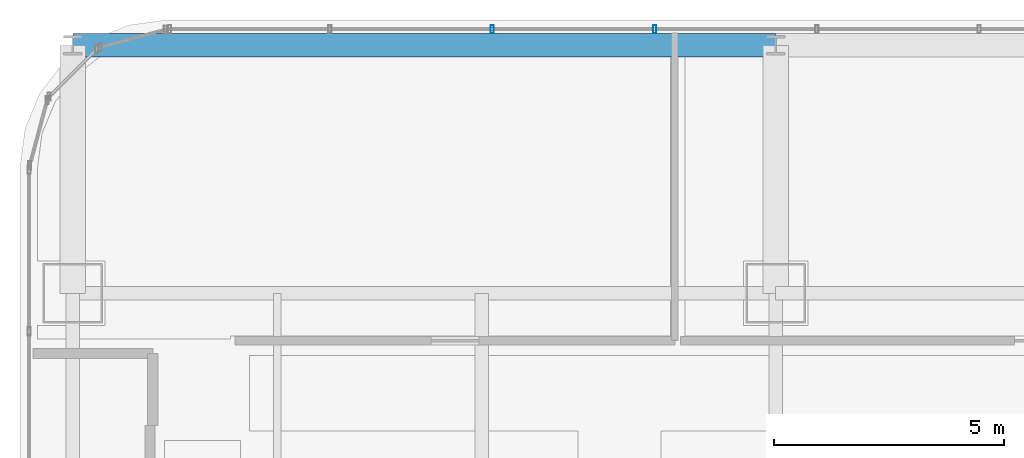
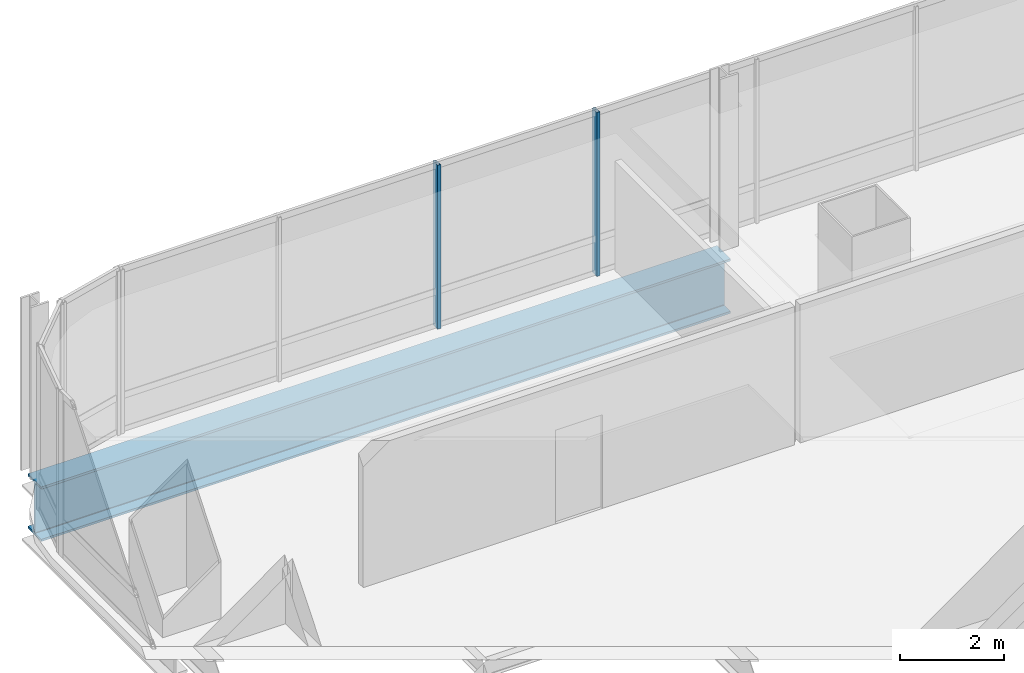
# One storey, part 25 of 42: 2 members, 1 beam, 1 element without a shape of its own.
"""IFC4 building model written with IfcOpenShell, lengths in metres."""

import ifcopenshell
import ifcopenshell.guid

model = None  # the IFC model being written
_history = None  # IfcOwnerHistory: only IFC2X3 demands one
_inside = {}  # id of a spatial element -> (the spatial element, [elements in it])
_under = {}  # id of a project, library or spatial element -> (it, [spatial elements below it])
_declared = {}  # id of a project -> (the project, [libraries it declares])
_typed = {}  # id of a type object -> (the type object, [elements of that type])
_made_of = {}  # id of a material, layer set ... -> (it, [elements and type objects made of it])


def new_model(schema):
    """Start an empty IFC model of exactly this schema.

    Asked for "IFC4X3", IfcOpenShell would pick the latest addendum, in which some entities
    have other attributes; the version numbers below select the first issue.
    IFC2X3 requires an IfcOwnerHistory on every rooted entity: one is made here for all.
    """
    global model, _history
    if schema == "IFC4X3":
        model = ifcopenshell.file(schema_version=(4, 3, 0, 0))
    else:
        model = ifcopenshell.file(schema=schema)
    _inside.clear()
    _under.clear()
    _declared.clear()
    _typed.clear()
    _made_of.clear()
    _history = None
    if model.schema == "IFC2X3":
        org = make("IfcOrganization", Name="unknown")
        user = make(
            "IfcPersonAndOrganization",
            ThePerson=make("IfcPerson", FamilyName="unknown"),
            TheOrganization=org,
        )
        app = make(
            "IfcApplication",
            ApplicationDeveloper=org,
            Version="unknown",
            ApplicationFullName="unknown",
            ApplicationIdentifier="unknown",
        )
        _history = make(
            "IfcOwnerHistory",
            OwningUser=user,
            OwningApplication=app,
            ChangeAction="ADDED",
            CreationDate=0,
        )
    return model


def make(cls, **values):
    """One entity of the class cls with the attributes given. An attribute that is None is left unset."""
    return model.create_entity(
        cls, **{name: value for name, value in values.items() if value is not None}
    )


def rooted(cls, **values):
    """An entity with a GlobalId (a new one), such as an element, a storey or a relation."""
    return make(cls, GlobalId=ifcopenshell.guid.new(), OwnerHistory=_history, **values)


def si_unit(unit_type, name, prefix=None):
    """IfcSIUnit, for example si_unit("LENGTHUNIT", "METRE", prefix="MILLI")."""
    return make("IfcSIUnit", UnitType=unit_type, Prefix=prefix, Name=name)


def assignment(units):
    """IfcUnitAssignment: the units of a project."""
    return None if units is None else make("IfcUnitAssignment", Units=units)


def point(xyz):
    """IfcCartesianPoint."""
    return None if xyz is None else make("IfcCartesianPoint", Coordinates=xyz)


def direction(xyz):
    """IfcDirection."""
    return None if xyz is None else make("IfcDirection", DirectionRatios=xyz)


def frame(location, z_axis=None, x_axis=None):
    """IfcAxis2Placement3D, a coordinate frame: its origin and axes. An axis left out is left unset."""
    return make(
        "IfcAxis2Placement3D",
        Location=point(location),
        Axis=direction(z_axis),
        RefDirection=direction(x_axis),
    )


def frame_2d(location, x_axis=None):
    """IfcAxis2Placement2D, a coordinate frame in the plane: its origin and x axis."""
    return make(
        "IfcAxis2Placement2D", Location=point(location), RefDirection=direction(x_axis)
    )


def origin():
    """The frame at (0, 0, 0) with its axes left unset."""
    return frame((0.0, 0.0, 0.0))


def origin_2d():
    """The frame at (0, 0) in the plane with its x axis left unset."""
    return frame_2d((0.0, 0.0))


def place(relative_to, where):
    """IfcLocalPlacement: puts the frame where relative to a parent placement (None: the world)."""
    return make(
        "IfcLocalPlacement", PlacementRelTo=relative_to, RelativePlacement=where
    )


def context(
    kind, dimensions, precision=None, world=None, true_north=None, identifier=None
):
    """IfcGeometricRepresentationContext, for example the 3D "Model" context."""
    return make(
        "IfcGeometricRepresentationContext",
        ContextIdentifier=identifier,
        ContextType=kind,
        CoordinateSpaceDimension=dimensions,
        Precision=precision,
        WorldCoordinateSystem=world,
        TrueNorth=true_north,
    )


def subcontext(parent, identifier, kind, view, scale=None):
    """IfcGeometricRepresentationSubContext, for example "Body" below "Model"."""
    return make(
        "IfcGeometricRepresentationSubContext",
        ContextIdentifier=identifier,
        ContextType=kind,
        ParentContext=parent,
        TargetScale=scale,
        TargetView=view,
    )


def project(units=None, contexts=None):
    """IfcProject with its units and contexts."""
    return rooted(
        "IfcProject",
        Name="project",
        RepresentationContexts=contexts,
        UnitsInContext=assignment(units),
    )


def spatial(cls, under=None, at=None, **own):
    """A site, building, storey or space (cls), placed at a placement, below another one or the project."""
    s = rooted(cls, ObjectPlacement=at, **own)
    if under is not None:
        _under.setdefault(under.id(), (under, []))[1].append(s)
    return s


def profile(cls, at=None, kind="AREA", **sizes):
    """A parametric profile (cls). Its sizes go by their IFC names, for example OverallWidth=200.0."""
    return make(cls, ProfileType=kind, Position=at, **sizes)


def hollow_rectangle(**sizes):
    """IfcRectangleHollowProfileDef."""
    return profile("IfcRectangleHollowProfileDef", **sizes)


def i_section(**sizes):
    """IfcIShapeProfileDef."""
    return profile("IfcIShapeProfileDef", **sizes)


def extrude(swept, where, along, depth):
    """IfcExtrudedAreaSolid: the profile swept, set in the frame where, extruded along a direction by depth."""
    return make(
        "IfcExtrudedAreaSolid",
        SweptArea=swept,
        Position=where,
        ExtrudedDirection=direction(along),
        Depth=depth,
    )


def shape(context_of_items, identifier, shape_type, items):
    """IfcShapeRepresentation: the items that make up one representation, for example the "Body"."""
    return make(
        "IfcShapeRepresentation",
        ContextOfItems=context_of_items,
        RepresentationIdentifier=identifier,
        RepresentationType=shape_type,
        Items=items,
    )


def material(Name=None, Category=None):
    """IfcMaterial."""
    return make("IfcMaterial", Name=Name, Category=Category)


def material_profile(
    of_material, cross_section, Name=None, Category=None, Priority=None
):
    """IfcMaterialProfile: a cross section and its material."""
    return make(
        "IfcMaterialProfile",
        Name=Name,
        Material=of_material,
        Profile=cross_section,
        Priority=Priority,
        Category=Category,
    )


def profile_set(profiles, Name=None, composite=None):
    """IfcMaterialProfileSet."""
    return make(
        "IfcMaterialProfileSet",
        Name=Name,
        MaterialProfiles=profiles,
        CompositeProfile=composite,
    )


def made_of(thing, what):
    """Note that an element or type object is made of a material, layer set ...; save() writes the relation."""
    if what is not None:
        _made_of.setdefault(what.id(), (what, []))[1].append(thing)
    return thing


def type_object(cls, material=None, **own):
    """A type object (cls), such as IfcWallType, which elements share."""
    return made_of(rooted(cls, **own), material)


def element(
    cls,
    number,
    at=None,
    inside=None,
    cuts=None,
    type_object=None,
    material=None,
    context=None,
    identifier="Body",
    shape_type=None,
    held_by="IfcProductDefinitionShape",
    body=None,
    shapes=None,
    **own,
):
    """One element of the class cls, such as IfcWall. Its Tag is "e" and its number.

    at: its placement. inside: the storey or other place that contains it. cuts: it is an
    opening in that element (IfcRelVoidsElement). A single representation is given by context,
    identifier, shape_type and body (its items); several are given by shapes. held_by: the class
    of the entity that holds the representations. save() writes the other relations.
    """
    e = rooted(cls, Tag="e%d" % number, ObjectPlacement=at, **own)
    if body is not None:
        shapes = [shape(context, identifier, shape_type, body)]
    if shapes is not None:
        e.Representation = make(held_by, Representations=shapes)
    if inside is not None:
        _inside.setdefault(inside.id(), (inside, []))[1].append(e)
    if cuts is not None:
        rooted(
            "IfcRelVoidsElement", RelatingBuildingElement=cuts, RelatedOpeningElement=e
        )
    if type_object is not None:
        _typed.setdefault(type_object.id(), (type_object, []))[1].append(e)
    return made_of(e, material)


def aggregate(whole, parts):
    """IfcRelAggregates: a whole, such as a stair, and the parts it consists of."""
    return rooted("IfcRelAggregates", RelatingObject=whole, RelatedObjects=parts)


def save(model, path):
    """Write the relations noted so far, then the file.

    IfcRelAggregates (storeys below a building ...), IfcRelContainedInSpatialStructure (elements
    in a storey), IfcRelDefinesByType, IfcRelAssociatesMaterial and IfcRelDeclares: one each for
    every whole, place, type object, material and project.
    """
    for whole, parts in _under.values():
        aggregate(whole, parts)
    for where, things in _inside.values():
        rooted(
            "IfcRelContainedInSpatialStructure",
            RelatedElements=things,
            RelatingStructure=where,
        )
    for kind, things in _typed.values():
        rooted("IfcRelDefinesByType", RelatedObjects=things, RelatingType=kind)
    for what, things in _made_of.values():
        rooted("IfcRelAssociatesMaterial", RelatedObjects=things, RelatingMaterial=what)
    for by, libraries in _declared.values():
        rooted("IfcRelDeclares", RelatingContext=by, RelatedDefinitions=libraries)
    model.write(path)


model = new_model("IFC4")

# Units and contexts
model_context = context("Model", 3, precision=1e-05, world=origin(), true_north=direction((0.0, 1.0)))
body_context = subcontext(model_context, "Body", "Model", "MODEL_VIEW")
ifc_project = project(units=[si_unit("LENGTHUNIT", "METRE"), si_unit("AREAUNIT", "SQUARE_METRE"), si_unit("VOLUMEUNIT", "CUBIC_METRE"), si_unit("PLANEANGLEUNIT", "RADIAN"), si_unit("MASSUNIT", "GRAM", prefix="KILO")], contexts=[model_context])

# Site, building, storey
site_placement = place(None, origin())
site = spatial("IfcSite", under=ifc_project, at=site_placement, CompositionType="ELEMENT")
building_placement = place(site_placement, origin())
building = spatial("IfcBuilding", under=site, at=building_placement, Name="Punatoya Terracotta Tower", CompositionType="ELEMENT")
storey_placement = place(building_placement, frame((0.0, 0.0, 263.550048828125)))
storey = spatial("IfcBuildingStorey", under=building, at=storey_placement, Name="L62", CompositionType="ELEMENT", Elevation=263.550048828125)

# Beam
ifc_material_1 = material(Name="Steel S460", Category="steel")
ifc_material_profile_1 = material_profile(ifc_material_1, i_section(OverallWidth=0.52001953125, OverallDepth=1.280029296875, WebThickness=0.031982421875, FlangeThickness=0.050048828125, FilletRadius=0.01806640625, at=origin_2d()))
ifc_profile_set_1 = profile_set([ifc_material_profile_1], Name="Steel S460")
beam_type = type_object("IfcBeamType", Name="BM-TG-NCK", PredefinedType="BEAM", material=ifc_profile_set_1)
beam_placement = place(storey_placement, frame((-19.10009765625, 22.89990234375, -0.840087890625), z_axis=(1.0, 0.0, 0.0), x_axis=(0.0, 1.0, 0.0)))
element("IfcBeam", 1, at=beam_placement, inside=storey, type_object=beam_type, Name="BM-L62-PER-N1", PredefinedType="BEAM", context=body_context, shape_type="SweptSolid", body=[
    extrude(i_section(OverallWidth=0.52001953125, OverallDepth=1.280029296875, WebThickness=0.031982421875, FlangeThickness=0.050048828125, FilletRadius=0.01806640625, at=origin_2d()), origin(), (0.0, 0.0, 1.0), 15.300048828125),
])

# Curtain wall, members
ifc_material_2 = material(Name="Aluminium 6063-T6 + Double Low-E Glass", Category="aluminium")
curtain_wall_type = type_object("IfcCurtainWallType", Name="CW-M3", PredefinedType="NOTDEFINED", material=ifc_material_2)
curtain_wall_placement = place(storey_placement, origin())
curtain_wall = element("IfcCurtainWall", 2, at=curtain_wall_placement, inside=storey, type_object=curtain_wall_type, Name="L62 Curtain Wall CW-L62-N09-1", PredefinedType="NOTDEFINED")
ifc_material_3 = material(Name="Aluminium 6063-T6", Category="aluminium")
ifc_material_profile_2 = material_profile(ifc_material_3, hollow_rectangle(XDim=0.070068359375, YDim=0.179931640625, WallThickness=0.00390625, at=origin_2d()))
ifc_profile_set_2 = profile_set([ifc_material_profile_2], Name="Aluminium 6063-T6")
member_type = type_object("IfcMemberType", Name="CW-MUL-M3", PredefinedType="MULLION", material=ifc_profile_set_2)
member_1_placement = place(storey_placement, frame((-6.43505859375, 23.25, 0.0), z_axis=(0.0, 0.0, 1.0), x_axis=(1.0, 0.0, 0.0)))
member_1 = element("IfcMember", 3, at=member_1_placement, type_object=member_type, Name="CW-L62-N09-1 Mullion 08", PredefinedType="MULLION", context=body_context, shape_type="SweptSolid", body=[
    extrude(hollow_rectangle(XDim=0.070068359375, YDim=0.179931640625, WallThickness=0.00390625, at=origin_2d()), origin(), (0.0, 0.0, 1.0), 3.849853515625),
])
member_2_placement = place(storey_placement, frame((-9.968994140625, 23.25, 0.0), z_axis=(0.0, 0.0, 1.0), x_axis=(1.0, 0.0, 0.0)))
member_2 = element("IfcMember", 4, at=member_2_placement, type_object=member_type, Name="CW-L62-N09-1 Mullion 09", PredefinedType="MULLION", context=body_context, shape_type="SweptSolid", body=[
    extrude(hollow_rectangle(XDim=0.070068359375, YDim=0.179931640625, WallThickness=0.00390625, at=origin_2d()), origin(), (0.0, 0.0, 1.0), 3.849853515625),
])
aggregate(curtain_wall, [member_1, member_2])

save(model, "model.ifc")
